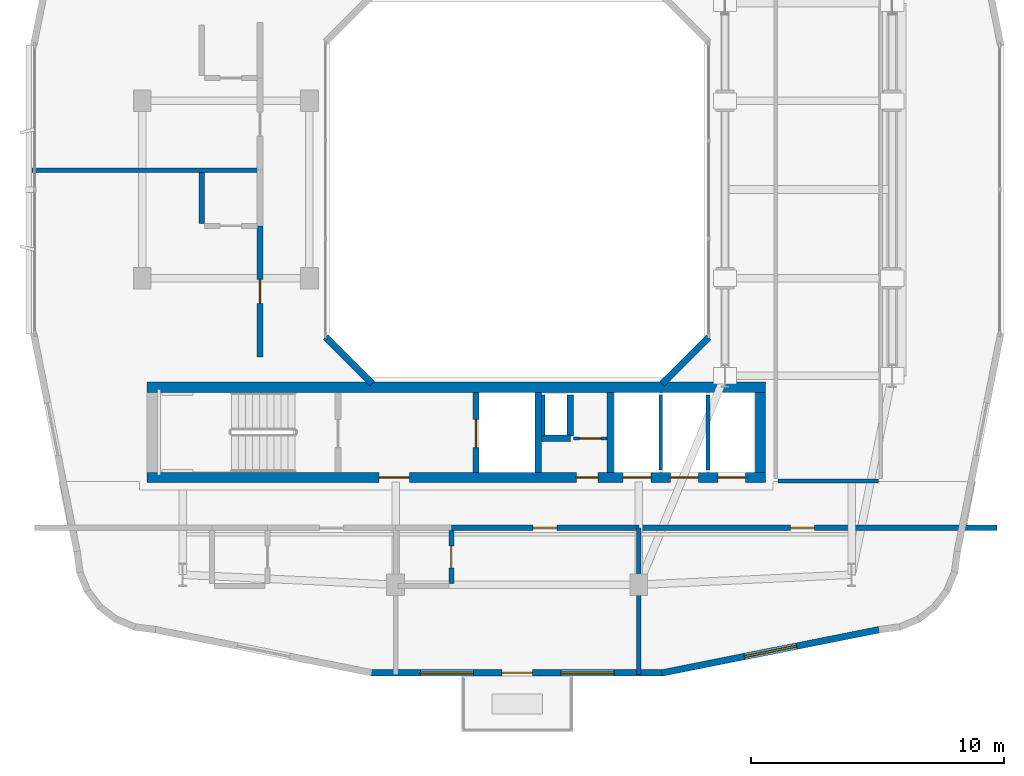
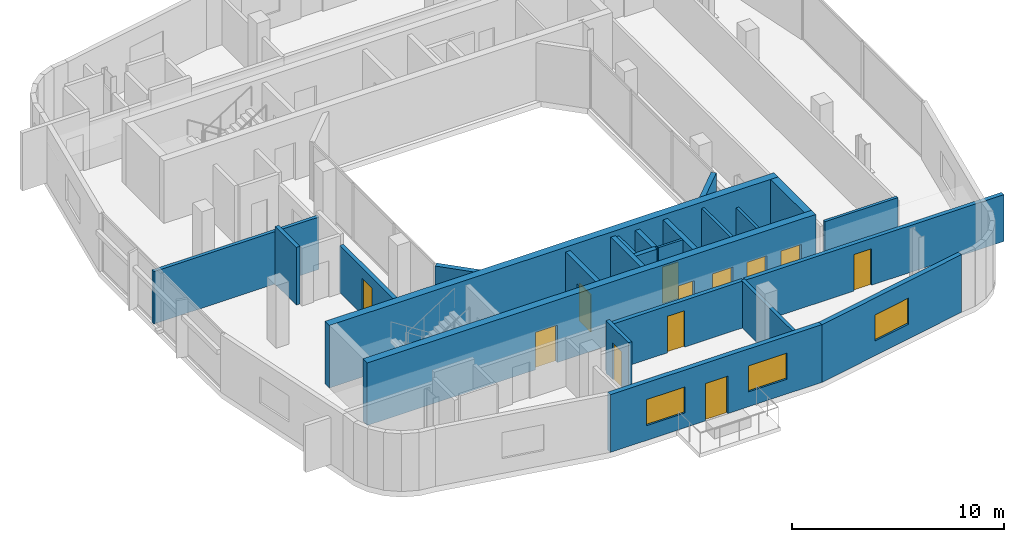
# One storey, part 6 of 13: 24 walls, 12 doors, 3 windows, 15 openings.
"""IFC4 building model written with IfcOpenShell, lengths in metres."""

import ifcopenshell
import ifcopenshell.guid

model = None  # the IFC model being written
_history = None  # IfcOwnerHistory: only IFC2X3 demands one
_inside = {}  # id of a spatial element -> (the spatial element, [elements in it])
_under = {}  # id of a project, library or spatial element -> (it, [spatial elements below it])
_declared = {}  # id of a project -> (the project, [libraries it declares])
_typed = {}  # id of a type object -> (the type object, [elements of that type])
_made_of = {}  # id of a material, layer set ... -> (it, [elements and type objects made of it])


def new_model(schema):
    """Start an empty IFC model of exactly this schema.

    Asked for "IFC4X3", IfcOpenShell would pick the latest addendum, in which some entities
    have other attributes; the version numbers below select the first issue.
    IFC2X3 requires an IfcOwnerHistory on every rooted entity: one is made here for all.
    """
    global model, _history
    if schema == "IFC4X3":
        model = ifcopenshell.file(schema_version=(4, 3, 0, 0))
    else:
        model = ifcopenshell.file(schema=schema)
    _inside.clear()
    _under.clear()
    _declared.clear()
    _typed.clear()
    _made_of.clear()
    _history = None
    if model.schema == "IFC2X3":
        org = make("IfcOrganization", Name="unknown")
        user = make(
            "IfcPersonAndOrganization",
            ThePerson=make("IfcPerson", FamilyName="unknown"),
            TheOrganization=org,
        )
        app = make(
            "IfcApplication",
            ApplicationDeveloper=org,
            Version="unknown",
            ApplicationFullName="unknown",
            ApplicationIdentifier="unknown",
        )
        _history = make(
            "IfcOwnerHistory",
            OwningUser=user,
            OwningApplication=app,
            ChangeAction="ADDED",
            CreationDate=0,
        )
    return model


def make(cls, **values):
    """One entity of the class cls with the attributes given. An attribute that is None is left unset."""
    return model.create_entity(
        cls, **{name: value for name, value in values.items() if value is not None}
    )


def rooted(cls, **values):
    """An entity with a GlobalId (a new one), such as an element, a storey or a relation."""
    return make(cls, GlobalId=ifcopenshell.guid.new(), OwnerHistory=_history, **values)


def si_unit(unit_type, name, prefix=None):
    """IfcSIUnit, for example si_unit("LENGTHUNIT", "METRE", prefix="MILLI")."""
    return make("IfcSIUnit", UnitType=unit_type, Prefix=prefix, Name=name)


def derived_unit(unit_type, elements):
    """IfcDerivedUnit: a product of units, each with its exponent."""
    return make(
        "IfcDerivedUnit",
        Elements=[
            make("IfcDerivedUnitElement", Unit=unit, Exponent=power)
            for unit, power in elements
        ],
        UnitType=unit_type,
    )


def assignment(units):
    """IfcUnitAssignment: the units of a project."""
    return None if units is None else make("IfcUnitAssignment", Units=units)


def point(xyz):
    """IfcCartesianPoint."""
    return None if xyz is None else make("IfcCartesianPoint", Coordinates=xyz)


def direction(xyz):
    """IfcDirection."""
    return None if xyz is None else make("IfcDirection", DirectionRatios=xyz)


def frame(location, z_axis=None, x_axis=None):
    """IfcAxis2Placement3D, a coordinate frame: its origin and axes. An axis left out is left unset."""
    return make(
        "IfcAxis2Placement3D",
        Location=point(location),
        Axis=direction(z_axis),
        RefDirection=direction(x_axis),
    )


def frame_2d(location, x_axis=None):
    """IfcAxis2Placement2D, a coordinate frame in the plane: its origin and x axis."""
    return make(
        "IfcAxis2Placement2D", Location=point(location), RefDirection=direction(x_axis)
    )


def origin():
    """The frame at (0, 0, 0) with its axes left unset."""
    return frame((0.0, 0.0, 0.0))


def place(relative_to, where):
    """IfcLocalPlacement: puts the frame where relative to a parent placement (None: the world)."""
    return make(
        "IfcLocalPlacement", PlacementRelTo=relative_to, RelativePlacement=where
    )


def context(
    kind, dimensions, precision=None, world=None, true_north=None, identifier=None
):
    """IfcGeometricRepresentationContext, for example the 3D "Model" context."""
    return make(
        "IfcGeometricRepresentationContext",
        ContextIdentifier=identifier,
        ContextType=kind,
        CoordinateSpaceDimension=dimensions,
        Precision=precision,
        WorldCoordinateSystem=world,
        TrueNorth=true_north,
    )


def subcontext(parent, identifier, kind, view, scale=None):
    """IfcGeometricRepresentationSubContext, for example "Body" below "Model"."""
    return make(
        "IfcGeometricRepresentationSubContext",
        ContextIdentifier=identifier,
        ContextType=kind,
        ParentContext=parent,
        TargetScale=scale,
        TargetView=view,
    )


def project(units=None, contexts=None):
    """IfcProject with its units and contexts."""
    return rooted(
        "IfcProject",
        Name="project",
        RepresentationContexts=contexts,
        UnitsInContext=assignment(units),
    )


def spatial(cls, under=None, at=None, **own):
    """A site, building, storey or space (cls), placed at a placement, below another one or the project."""
    s = rooted(cls, ObjectPlacement=at, **own)
    if under is not None:
        _under.setdefault(under.id(), (under, []))[1].append(s)
    return s


def profile(cls, at=None, kind="AREA", **sizes):
    """A parametric profile (cls). Its sizes go by their IFC names, for example OverallWidth=200.0."""
    return make(cls, ProfileType=kind, Position=at, **sizes)


def rectangle(**sizes):
    """IfcRectangleProfileDef."""
    return profile("IfcRectangleProfileDef", **sizes)


def extrude(swept, where, along, depth):
    """IfcExtrudedAreaSolid: the profile swept, set in the frame where, extruded along a direction by depth."""
    return make(
        "IfcExtrudedAreaSolid",
        SweptArea=swept,
        Position=where,
        ExtrudedDirection=direction(along),
        Depth=depth,
    )


def shape(context_of_items, identifier, shape_type, items):
    """IfcShapeRepresentation: the items that make up one representation, for example the "Body"."""
    return make(
        "IfcShapeRepresentation",
        ContextOfItems=context_of_items,
        RepresentationIdentifier=identifier,
        RepresentationType=shape_type,
        Items=items,
    )


def material(Name=None, Category=None):
    """IfcMaterial."""
    return make("IfcMaterial", Name=Name, Category=Category)


def layer(
    of_material, thickness, ventilated=None, Name=None, Category=None, Priority=None
):
    """IfcMaterialLayer: one layer of a wall or slab, of a material (None: an air gap)."""
    return make(
        "IfcMaterialLayer",
        Material=of_material,
        LayerThickness=thickness,
        IsVentilated=ventilated,
        Name=Name,
        Category=Category,
        Priority=Priority,
    )


def layer_set(layers, Name=None):
    """IfcMaterialLayerSet."""
    return make("IfcMaterialLayerSet", MaterialLayers=layers, LayerSetName=Name)


def made_of(thing, what):
    """Note that an element or type object is made of a material, layer set ...; save() writes the relation."""
    if what is not None:
        _made_of.setdefault(what.id(), (what, []))[1].append(thing)
    return thing


def type_object(cls, material=None, **own):
    """A type object (cls), such as IfcWallType, which elements share."""
    return made_of(rooted(cls, **own), material)


def element(
    cls,
    number,
    at=None,
    inside=None,
    cuts=None,
    type_object=None,
    material=None,
    context=None,
    identifier="Body",
    shape_type=None,
    held_by="IfcProductDefinitionShape",
    body=None,
    shapes=None,
    **own,
):
    """One element of the class cls, such as IfcWall. Its Tag is "e" and its number.

    at: its placement. inside: the storey or other place that contains it. cuts: it is an
    opening in that element (IfcRelVoidsElement). A single representation is given by context,
    identifier, shape_type and body (its items); several are given by shapes. held_by: the class
    of the entity that holds the representations. save() writes the other relations.
    """
    e = rooted(cls, Tag="e%d" % number, ObjectPlacement=at, **own)
    if body is not None:
        shapes = [shape(context, identifier, shape_type, body)]
    if shapes is not None:
        e.Representation = make(held_by, Representations=shapes)
    if inside is not None:
        _inside.setdefault(inside.id(), (inside, []))[1].append(e)
    if cuts is not None:
        rooted(
            "IfcRelVoidsElement", RelatingBuildingElement=cuts, RelatedOpeningElement=e
        )
    if type_object is not None:
        _typed.setdefault(type_object.id(), (type_object, []))[1].append(e)
    return made_of(e, material)


def fill(opening, filler):
    """IfcRelFillsElement: the door or window that sits in an opening."""
    return rooted(
        "IfcRelFillsElement",
        RelatingOpeningElement=opening,
        RelatedBuildingElement=filler,
    )


def aggregate(whole, parts):
    """IfcRelAggregates: a whole, such as a stair, and the parts it consists of."""
    return rooted("IfcRelAggregates", RelatingObject=whole, RelatedObjects=parts)


def save(model, path):
    """Write the relations noted so far, then the file.

    IfcRelAggregates (storeys below a building ...), IfcRelContainedInSpatialStructure (elements
    in a storey), IfcRelDefinesByType, IfcRelAssociatesMaterial and IfcRelDeclares: one each for
    every whole, place, type object, material and project.
    """
    for whole, parts in _under.values():
        aggregate(whole, parts)
    for where, things in _inside.values():
        rooted(
            "IfcRelContainedInSpatialStructure",
            RelatedElements=things,
            RelatingStructure=where,
        )
    for kind, things in _typed.values():
        rooted("IfcRelDefinesByType", RelatedObjects=things, RelatingType=kind)
    for what, things in _made_of.values():
        rooted("IfcRelAssociatesMaterial", RelatedObjects=things, RelatingMaterial=what)
    for by, libraries in _declared.values():
        rooted("IfcRelDeclares", RelatingContext=by, RelatedDefinitions=libraries)
    model.write(path)


model = new_model("IFC4")

# Units and contexts
model_context = context("Model", 3, precision=1e-05, world=origin(), true_north=direction((0.0, 1.0)))
body_context = subcontext(model_context, "Body", "Model", "MODEL_VIEW")
ifc_project = project(units=[si_unit("LENGTHUNIT", "METRE"), si_unit("AREAUNIT", "SQUARE_METRE"), si_unit("VOLUMEUNIT", "CUBIC_METRE"), si_unit("PLANEANGLEUNIT", "RADIAN"), si_unit("MASSUNIT", "GRAM", prefix="KILO"), derived_unit("THERMALTRANSMITTANCEUNIT", [(si_unit("POWERUNIT", "WATT"), 1), (si_unit("LENGTHUNIT", "METRE"), -2), (si_unit("THERMODYNAMICTEMPERATUREUNIT", "KELVIN"), -1)])], contexts=[model_context])

# Site, building, storey
site_placement = place(None, origin())
site = spatial("IfcSite", under=ifc_project, at=site_placement, CompositionType="ELEMENT")
building_placement = place(site_placement, origin())
building = spatial("IfcBuilding", under=site, at=building_placement, Name="Kivonza Crest Hotel", CompositionType="ELEMENT")
storey_placement = place(building_placement, frame((0.0, 0.0, 199.10009765625)))
storey = spatial("IfcBuildingStorey", under=building, at=storey_placement, Name="L54", CompositionType="ELEMENT", Elevation=199.10009765625)

# Walls
ifc_material_1 = material(Name="High-density acoustic masonry inter-tenancy wall", Category="masonry")
ifc_layer_1 = layer(ifc_material_1, 0.179931640625)
ifc_layer_set_1 = layer_set([ifc_layer_1], Name="High-density acoustic masonry inter-tenancy wall")
wall_type_1 = type_object("IfcWallType", Name="WL-ACOU-180", PredefinedType="SOLIDWALL", material=ifc_layer_set_1)
wall_1_placement = place(storey_placement, frame((25.800048828125, 5.860107421875, 0.0), z_axis=(0.0, 0.0, 1.0), x_axis=(0.0, 1.0, 0.0)))
element("IfcWall", 1, at=wall_1_placement, inside=storey, type_object=wall_type_1, Name="L54 interior partition WA-L54-T1S-DIV2", PredefinedType="SOLIDWALL", context=body_context, shape_type="SweptSolid", body=[
    extrude(rectangle(XDim=5.789794921875, YDim=0.179931640625, at=frame_2d((2.89501953125, 0.0))), origin(), (0.0, 0.0, 1.0), 2.69482421875),
])
wall_2_placement = place(storey_placement, frame((1.860107421875, 25.77001953125, 0.0), z_axis=(0.0, 0.0, 1.0), x_axis=(1.0, 0.0, 0.0)))
element("IfcWall", 2, at=wall_2_placement, inside=storey, type_object=wall_type_1, Name="L54 interior partition WA-L54-T1W-DIV1", PredefinedType="SOLIDWALL", context=body_context, shape_type="SweptSolid", body=[
    extrude(rectangle(XDim=8.989990234375, YDim=0.179931640625, at=frame_2d((4.4951171875, 0.0))), origin(), (0.0, 0.0, 1.0), 3.014892578125),
])

# Wall, opening, door
ifc_material_2 = material(Name="Autoclaved aerated concrete blockwork", Category="masonry")
ifc_layer_2 = layer(ifc_material_2, 0.219970703125)
ifc_layer_set_2 = layer_set([ifc_layer_2], Name="Autoclaved aerated concrete blockwork")
wall_type_2 = type_object("IfcWallType", Name="WL-ACOU-220", PredefinedType="SOLIDWALL", material=ifc_layer_set_2)
wall_3_placement = place(storey_placement, frame((18.39990234375, 11.64990234375, 0.0), z_axis=(0.0, 0.0, 1.0), x_axis=(1.0, 0.0, 0.0)))
wall_3 = element("IfcWall", 3, at=wall_3_placement, inside=storey, type_object=wall_type_2, Name="L54 interior partition WA-L54-S06-MCORR", PredefinedType="SOLIDWALL", context=body_context, shape_type="SweptSolid", body=[
    extrude(rectangle(XDim=7.400146484375, YDim=0.219970703125, at=frame_2d((3.7001953125, 0.0))), origin(), (0.0, 0.0, 1.0), 2.69482421875),
])
opening_1_placement = place(wall_3_placement, frame((3.22509765625, 0.0, 0.0)))
opening_1 = element("IfcOpeningElement", 4, at=opening_1_placement, cuts=wall_3, Name="Opening DU-60", PredefinedType="OPENING", context=body_context, shape_type="SweptSolid", body=[
    extrude(rectangle(XDim=0.949951171875, YDim=2.10009765625, at=frame_2d((0.47509765625, 1.050048828125))), frame((0.0, 0.1201171875, 0.0), z_axis=(0.0, -1.0, 0.0), x_axis=(1.0, 0.0, 0.0)), (0.0, 0.0, 1.0), 0.239990234375),
])
ifc_material_3 = material(Name="Hardwood timber oak", Category="wood")
door_type_1 = type_object("IfcDoorType", Name="DR-UNIT-950", OperationType="NOTDEFINED", PredefinedType="DOOR", material=ifc_material_3)
door_1_placement = place(opening_1_placement, frame((0.949951171875, 0.0, 0.0), z_axis=(0.0, 0.0, 1.0), x_axis=(-1.0, 0.0, 0.0)))
door_1 = element("IfcDoor", 5, at=door_1_placement, inside=storey, type_object=door_type_1, Name="L54 S06 guest unit entrance fire door", OperationType="SINGLE_SWING_RIGHT", OverallHeight=2.10009765625, OverallWidth=0.949951171875, PredefinedType="DOOR", context=body_context, shape_type="SweptSolid", body=[
    extrude(rectangle(XDim=0.949951171875, YDim=2.10009765625, at=frame_2d((0.47509765625, 1.050048828125))), frame((0.0, 0.02490234375, 0.0), z_axis=(0.0, -1.0, 0.0), x_axis=(1.0, 0.0, 0.0)), (0.0, 0.0, 1.0), 0.050048828125),
])
fill(opening_1, door_1)

wall_4_placement = place(storey_placement, frame((25.89990234375, 11.64990234375, 0.0), z_axis=(0.0, 0.0, 1.0), x_axis=(1.0, 0.0, 0.0)))
wall_4 = element("IfcWall", 6, at=wall_4_placement, inside=storey, type_object=wall_type_2, Name="L54 interior partition WA-L54-BUS-MTG-N", PredefinedType="SOLIDWALL", context=body_context, shape_type="SweptSolid", body=[
    extrude(rectangle(XDim=14.0400390625, YDim=0.219970703125, at=frame_2d((7.02001953125, 0.0))), origin(), (0.0, 0.0, 1.0), 2.69482421875),
])
opening_2_placement = place(wall_4_placement, frame((5.881103515625, 0.0, 0.0)))
opening_2 = element("IfcOpeningElement", 7, at=opening_2_placement, cuts=wall_4, Name="Opening DF-60S", PredefinedType="OPENING", context=body_context, shape_type="SweptSolid", body=[
    extrude(rectangle(XDim=0.949951171875, YDim=2.10009765625, at=frame_2d((0.47509765625, 1.050048828125))), frame((0.0, 0.1201171875, 0.0), z_axis=(0.0, -1.0, 0.0), x_axis=(1.0, 0.0, 0.0)), (0.0, 0.0, 1.0), 0.239990234375),
])
door_type_2 = type_object("IfcDoorType", Name="DR-FD60-950", OperationType="NOTDEFINED", PredefinedType="DOOR", material=ifc_material_3)
door_2_placement = place(opening_2_placement, frame((0.949951171875, 0.0, 0.0), z_axis=(0.0, 0.0, 1.0), x_axis=(-1.0, 0.0, 0.0)))
door_2 = element("IfcDoor", 8, at=door_2_placement, inside=storey, type_object=door_type_2, Name="L54 Private Fitness Gym Studio door", OperationType="SINGLE_SWING_RIGHT", OverallHeight=2.10009765625, OverallWidth=0.949951171875, PredefinedType="DOOR", context=body_context, shape_type="SweptSolid", body=[
    extrude(rectangle(XDim=0.949951171875, YDim=2.10009765625, at=frame_2d((0.47509765625, 1.050048828125))), frame((0.0, 0.02490234375, 0.0), z_axis=(0.0, -1.0, 0.0), x_axis=(1.0, 0.0, 0.0)), (0.0, 0.0, 1.0), 0.050048828125),
])
fill(opening_2, door_2)

wall_5_placement = place(storey_placement, frame((10.85009765625, 18.39990234375, 0.0), z_axis=(0.0, 0.0, 1.0), x_axis=(0.0, 1.0, 0.0)))
wall_5 = element("IfcWall", 9, at=wall_5_placement, inside=storey, type_object=wall_type_2, Name="L54 interior partition WA-L54-W07-MCORR", PredefinedType="SOLIDWALL", context=body_context, shape_type="SweptSolid", body=[
    extrude(rectangle(XDim=5.170166015625, YDim=0.219970703125, at=frame_2d((2.5849609375, 0.0))), origin(), (0.0, 0.0, 1.0), 2.69482421875),
])
opening_3_placement = place(wall_5_placement, frame((2.110107421875, 0.0, 0.0)))
opening_3 = element("IfcOpeningElement", 10, at=opening_3_placement, cuts=wall_5, Name="Opening DU-60", PredefinedType="OPENING", context=body_context, shape_type="SweptSolid", body=[
    extrude(rectangle(XDim=0.949951171875, YDim=2.10009765625, at=frame_2d((0.47509765625, 1.050048828125))), frame((0.0, 0.1201171875, 0.0), z_axis=(0.0, -1.0, 0.0), x_axis=(1.0, 0.0, 0.0)), (0.0, 0.0, 1.0), 0.239990234375),
])
door_3_placement = place(opening_3_placement, origin())
door_3 = element("IfcDoor", 11, at=door_3_placement, inside=storey, type_object=door_type_1, Name="L54 W07 guest unit entrance fire door", OperationType="SINGLE_SWING_LEFT", OverallHeight=2.10009765625, OverallWidth=0.949951171875, PredefinedType="DOOR", context=body_context, shape_type="SweptSolid", body=[
    extrude(rectangle(XDim=0.949951171875, YDim=2.10009765625, at=frame_2d((0.47509765625, 1.050048828125))), frame((0.0, 0.02490234375, 0.0), z_axis=(0.0, -1.0, 0.0), x_axis=(1.0, 0.0, 0.0)), (0.0, 0.0, 1.0), 0.050048828125),
])
fill(opening_3, door_3)

# Wall, openings, doors
ifc_material_4 = material(Name="Concrete C50/60", Category="concrete")
ifc_layer_3 = layer(ifc_material_4, 0.39990234375)
ifc_layer_set_3 = layer_set([ifc_layer_3], Name="Concrete C50/60")
wall_type_3 = type_object("IfcWallType", Name="WL-CORE-400", PredefinedType="SHEAR", material=ifc_layer_set_3)
wall_6_placement = place(storey_placement, frame((6.39990234375, 13.639892578125, 0.0), z_axis=(0.0, 0.0, 1.0), x_axis=(1.0, 0.0, 0.0)))
wall_6 = element("IfcWall", 12, at=wall_6_placement, inside=storey, type_object=wall_type_3, Name="Core wall T1-S South L54", PredefinedType="SHEAR", context=body_context, shape_type="SweptSolid", body=[
    extrude(rectangle(XDim=24.400146484375, YDim=0.39990234375, at=frame_2d((12.2001953125, 0.0))), origin(), (0.0, 0.0, 1.0), 3.599853515625),
])
opening_4_placement = place(wall_6_placement, frame((9.14990234375, 0.0, 0.0)))
opening_4 = element("IfcOpeningElement", 13, at=opening_4_placement, cuts=wall_6, Name="Opening DF-60", PredefinedType="OPENING", context=body_context, shape_type="SweptSolid", body=[
    extrude(rectangle(XDim=1.199951171875, YDim=2.14990234375, at=frame_2d((0.60009765625, 1.074951171875))), frame((0.0, 0.2099609375, 0.0), z_axis=(0.0, -1.0, 0.0), x_axis=(1.0, 0.0, 0.0)), (0.0, 0.0, 1.0), 0.419921875),
])
opening_5_placement = place(wall_6_placement, frame((16.93994140625, 0.0, 0.0)))
opening_5 = element("IfcOpeningElement", 14, at=opening_5_placement, cuts=wall_6, Name="Opening DF-60R", PredefinedType="OPENING", context=body_context, shape_type="SweptSolid", body=[
    extrude(rectangle(XDim=0.85009765625, YDim=2.10009765625, at=frame_2d((0.425048828125, 1.050048828125))), frame((0.0, 0.2099609375, 0.0), z_axis=(0.0, -1.0, 0.0), x_axis=(1.0, 0.0, 0.0)), (0.0, 0.0, 1.0), 0.419921875),
])
opening_6_placement = place(wall_6_placement, frame((18.782958984375, 0.0, 0.0)))
opening_6 = element("IfcOpeningElement", 15, at=opening_6_placement, cuts=wall_6, Name="Opening LD-120", PredefinedType="OPENING", context=body_context, shape_type="SweptSolid", body=[
    extrude(rectangle(XDim=1.10009765625, YDim=2.14990234375, at=frame_2d((0.550048828125, 1.074951171875))), frame((0.0, 0.2099609375, 0.0), z_axis=(0.0, -1.0, 0.0), x_axis=(1.0, 0.0, 0.0)), (0.0, 0.0, 1.0), 0.419921875),
])
opening_7_placement = place(wall_6_placement, frame((20.64990234375, 0.0, 0.0)))
opening_7 = element("IfcOpeningElement", 16, at=opening_7_placement, cuts=wall_6, Name="Opening LD-120", PredefinedType="OPENING", context=body_context, shape_type="SweptSolid", body=[
    extrude(rectangle(XDim=1.10009765625, YDim=2.14990234375, at=frame_2d((0.550048828125, 1.074951171875))), frame((0.0, 0.2099609375, 0.0), z_axis=(0.0, -1.0, 0.0), x_axis=(1.0, 0.0, 0.0)), (0.0, 0.0, 1.0), 0.419921875),
])
opening_8_placement = place(wall_6_placement, frame((22.51708984375, 0.0, 0.0)))
opening_8 = element("IfcOpeningElement", 17, at=opening_8_placement, cuts=wall_6, Name="Opening LD-120", PredefinedType="OPENING", context=body_context, shape_type="SweptSolid", body=[
    extrude(rectangle(XDim=1.10009765625, YDim=2.14990234375, at=frame_2d((0.550048828125, 1.074951171875))), frame((0.0, 0.2099609375, 0.0), z_axis=(0.0, -1.0, 0.0), x_axis=(1.0, 0.0, 0.0)), (0.0, 0.0, 1.0), 0.419921875),
])
door_type_3 = type_object("IfcDoorType", Name="DR-FD60-1200", OperationType="NOTDEFINED", PredefinedType="DOOR", material=ifc_material_3)
door_4_placement = place(opening_4_placement, frame((1.199951171875, 0.0, 0.0), z_axis=(0.0, 0.0, 1.0), x_axis=(-1.0, 0.0, 0.0)))
door_4 = element("IfcDoor", 18, at=door_4_placement, inside=storey, type_object=door_type_3, Name="L54 T1-S firefighting lobby fire door", OperationType="SINGLE_SWING_LEFT", OverallHeight=2.14990234375, OverallWidth=1.199951171875, PredefinedType="DOOR", context=body_context, shape_type="SweptSolid", body=[
    extrude(rectangle(XDim=1.199951171875, YDim=2.14990234375, at=frame_2d((0.60009765625, 1.074951171875))), frame((0.0, 0.02490234375, 0.0), z_axis=(0.0, -1.0, 0.0), x_axis=(1.0, 0.0, 0.0)), (0.0, 0.0, 1.0), 0.050048828125),
])
fill(opening_4, door_4)
door_type_4 = type_object("IfcDoorType", Name="DR-FD60-850", OperationType="NOTDEFINED", PredefinedType="DOOR", material=ifc_material_3)
door_5_placement = place(opening_5_placement, frame((0.85009765625, 0.0, 0.0), z_axis=(0.0, 0.0, 1.0), x_axis=(-1.0, 0.0, 0.0)))
door_5 = element("IfcDoor", 19, at=door_5_placement, inside=storey, type_object=door_type_4, Name="L54 T1-S core room door", OperationType="SINGLE_SWING_RIGHT", OverallHeight=2.10009765625, OverallWidth=0.85009765625, PredefinedType="DOOR", context=body_context, shape_type="SweptSolid", body=[
    extrude(rectangle(XDim=0.85009765625, YDim=2.10009765625, at=frame_2d((0.425048828125, 1.050048828125))), frame((0.0, 0.02490234375, 0.0), z_axis=(0.0, -1.0, 0.0), x_axis=(1.0, 0.0, 0.0)), (0.0, 0.0, 1.0), 0.050048828125),
])
fill(opening_5, door_5)
ifc_material_5 = material(Name="Stainless steel", Category="steel")
door_type_5 = type_object("IfcDoorType", Name="DR-LD120-1100", OperationType="NOTDEFINED", PredefinedType="DOOR", material=ifc_material_5)
door_6_placement = place(opening_6_placement, frame((1.10009765625, 0.0, 0.0), z_axis=(0.0, 0.0, 1.0), x_axis=(-1.0, 0.0, 0.0)))
door_6 = element("IfcDoor", 20, at=door_6_placement, inside=storey, type_object=door_type_5, Name="L54 PL-T1-H1 passenger lift sliding landing door", OperationType="DOUBLE_DOOR_SLIDING", OverallHeight=2.14990234375, OverallWidth=1.10009765625, PredefinedType="DOOR", context=body_context, shape_type="SweptSolid", body=[
    extrude(rectangle(XDim=1.10009765625, YDim=2.14990234375, at=frame_2d((0.550048828125, 1.074951171875))), frame((0.0, 0.02490234375, 0.0), z_axis=(0.0, -1.0, 0.0), x_axis=(1.0, 0.0, 0.0)), (0.0, 0.0, 1.0), 0.050048828125),
])
fill(opening_6, door_6)
door_7_placement = place(opening_7_placement, frame((1.10009765625, 0.0, 0.0), z_axis=(0.0, 0.0, 1.0), x_axis=(-1.0, 0.0, 0.0)))
door_7 = element("IfcDoor", 21, at=door_7_placement, inside=storey, type_object=door_type_5, Name="L54 PL-T1-H2 passenger lift sliding landing door", OperationType="DOUBLE_DOOR_SLIDING", OverallHeight=2.14990234375, OverallWidth=1.10009765625, PredefinedType="DOOR", context=body_context, shape_type="SweptSolid", body=[
    extrude(rectangle(XDim=1.10009765625, YDim=2.14990234375, at=frame_2d((0.550048828125, 1.074951171875))), frame((0.0, 0.02490234375, 0.0), z_axis=(0.0, -1.0, 0.0), x_axis=(1.0, 0.0, 0.0)), (0.0, 0.0, 1.0), 0.050048828125),
])
fill(opening_7, door_7)
door_8_placement = place(opening_8_placement, frame((1.10009765625, 0.0, 0.0), z_axis=(0.0, 0.0, 1.0), x_axis=(-1.0, 0.0, 0.0)))
door_8 = element("IfcDoor", 22, at=door_8_placement, inside=storey, type_object=door_type_5, Name="L54 PL-T1-H3 passenger lift sliding landing door", OperationType="DOUBLE_DOOR_SLIDING", OverallHeight=2.14990234375, OverallWidth=1.10009765625, PredefinedType="DOOR", context=body_context, shape_type="SweptSolid", body=[
    extrude(rectangle(XDim=1.10009765625, YDim=2.14990234375, at=frame_2d((0.550048828125, 1.074951171875))), frame((0.0, 0.02490234375, 0.0), z_axis=(0.0, -1.0, 0.0), x_axis=(1.0, 0.0, 0.0)), (0.0, 0.0, 1.0), 0.050048828125),
])
fill(opening_8, door_8)

# Walls
wall_7_placement = place(storey_placement, frame((6.39990234375, 17.199951171875, 0.0), z_axis=(0.0, 0.0, 1.0), x_axis=(1.0, 0.0, 0.0)))
element("IfcWall", 23, at=wall_7_placement, inside=storey, type_object=wall_type_3, Name="Core wall T1-S North L54", PredefinedType="SHEAR", context=body_context, shape_type="SweptSolid", body=[
    extrude(rectangle(XDim=24.400146484375, YDim=0.39990234375, at=frame_2d((12.2001953125, 0.0))), origin(), (0.0, 0.0, 1.0), 3.599853515625),
])
wall_8_placement = place(storey_placement, frame((30.60009765625, 13.840087890625, 0.0), z_axis=(0.0, 0.0, 1.0), x_axis=(0.0, 1.0, 0.0)))
element("IfcWall", 24, at=wall_8_placement, inside=storey, type_object=wall_type_3, Name="Core wall T1-S East L54", PredefinedType="SHEAR", context=body_context, shape_type="SweptSolid", body=[
    extrude(rectangle(XDim=3.159912109375, YDim=0.39990234375, at=frame_2d((1.580078125, 0.0))), origin(), (0.0, 0.0, 1.0), 3.599853515625),
])

# Wall, openings, door, windows
ifc_material_6 = material(Name="Precast concrete C40/50", Category="concrete")
ifc_layer_4 = layer(ifc_material_6, 0.260009765625)
ifc_layer_set_4 = layer_set([ifc_layer_4], Name="Precast concrete C40/50")
wall_type_4 = type_object("IfcWallType", Name="WL-EXT-260", PredefinedType="STANDARD", material=ifc_layer_set_4)
wall_9_placement = place(storey_placement, frame((15.215087890625, 5.929931640625, 0.0), z_axis=(0.0, 0.0, 1.0), x_axis=(1.0, 0.0, 0.0)))
wall_9 = element("IfcWall", 25, at=wall_9_placement, inside=storey, type_object=wall_type_4, Name="L54 T1 exterior insulated wall 8", PredefinedType="STANDARD", context=body_context, shape_type="SweptSolid", body=[
    extrude(rectangle(XDim=11.534912109375, YDim=0.260009765625, at=frame_2d((5.767578125, 0.0))), origin(), (0.0, 0.0, 1.0), 3.31982421875),
])
opening_9_placement = place(wall_9_placement, frame((5.18505859375, 0.0, 0.0)))
opening_9 = element("IfcOpeningElement", 26, at=opening_9_placement, cuts=wall_9, Name="Opening DT-120", PredefinedType="OPENING", context=body_context, shape_type="SweptSolid", body=[
    extrude(rectangle(XDim=1.199951171875, YDim=2.14990234375, at=frame_2d((0.60009765625, 1.074951171875))), frame((0.0, 0.14013671875, 0.0), z_axis=(0.0, -1.0, 0.0), x_axis=(1.0, 0.0, 0.0)), (0.0, 0.0, 1.0), 0.280029296875),
])
opening_10_placement = place(wall_9_placement, frame((1.9599609375, 0.0, 0.85009765625)))
opening_10 = element("IfcOpeningElement", 27, at=opening_10_placement, cuts=wall_9, Name="Opening WN-04", PredefinedType="OPENING", context=body_context, shape_type="SweptSolid", body=[
    extrude(rectangle(XDim=2.10009765625, YDim=1.5, at=frame_2d((1.050048828125, 0.75))), frame((0.0, 0.14013671875, 0.0), z_axis=(0.0, -1.0, 0.0), x_axis=(1.0, 0.0, 0.0)), (0.0, 0.0, 1.0), 0.280029296875),
])
opening_11_placement = place(wall_9_placement, frame((7.510009765625, 0.0, 0.85009765625)))
opening_11 = element("IfcOpeningElement", 28, at=opening_11_placement, cuts=wall_9, Name="Opening WN-04", PredefinedType="OPENING", context=body_context, shape_type="SweptSolid", body=[
    extrude(rectangle(XDim=2.10009765625, YDim=1.5, at=frame_2d((1.050048828125, 0.75))), frame((0.0, 0.14013671875, 0.0), z_axis=(0.0, -1.0, 0.0), x_axis=(1.0, 0.0, 0.0)), (0.0, 0.0, 1.0), 0.280029296875),
])
ifc_material_7 = material(Name="Anodised bronze aluminium and laminated safety glass", Category="aluminium")
door_type_6 = type_object("IfcDoorType", Name="DR-TERR-1200", OperationType="NOTDEFINED", PredefinedType="DOOR", material=ifc_material_7)
door_9_placement = place(opening_9_placement, frame((1.199951171875, 0.0, 0.0), z_axis=(0.0, 0.0, 1.0), x_axis=(-1.0, 0.0, 0.0)))
door_9 = element("IfcDoor", 29, at=door_9_placement, inside=storey, type_object=door_type_6, Name="T1 L54 SW sky-garden bridge access door", OperationType="SINGLE_SWING_LEFT", OverallHeight=2.14990234375, OverallWidth=1.199951171875, PredefinedType="DOOR", context=body_context, shape_type="SweptSolid", body=[
    extrude(rectangle(XDim=1.199951171875, YDim=2.14990234375, at=frame_2d((0.60009765625, 1.074951171875))), frame((0.0, 0.02490234375, 0.0), z_axis=(0.0, -1.0, 0.0), x_axis=(1.0, 0.0, 0.0)), (0.0, 0.0, 1.0), 0.050048828125),
])
fill(opening_9, door_9)
ifc_material_8 = material(Name="Thermally broken bronze aluminium and low-E double glazing", Category="aluminium")
window_type = type_object("IfcWindowType", Name="WN-210x150", PartitioningType="DOUBLE_PANEL_VERTICAL", PredefinedType="WINDOW", material=ifc_material_8)
window_1_placement = place(opening_10_placement, origin())
window_1 = element("IfcWindow", 30, at=window_1_placement, inside=storey, type_object=window_type, Name="L54 T1 facade window 8 bay 1", OverallHeight=1.5, OverallWidth=2.10009765625, PartitioningType="SINGLE_PANEL", PredefinedType="WINDOW", context=body_context, shape_type="SweptSolid", body=[
    extrude(rectangle(XDim=2.10009765625, YDim=1.5, at=frame_2d((1.050048828125, 0.75))), frame((0.0, 0.030029296875, 0.0), z_axis=(0.0, -1.0, 0.0), x_axis=(1.0, 0.0, 0.0)), (0.0, 0.0, 1.0), 0.06005859375),
])
fill(opening_10, window_1)
window_2_placement = place(opening_11_placement, origin())
window_2 = element("IfcWindow", 31, at=window_2_placement, inside=storey, type_object=window_type, Name="L54 T1 facade window 8 bay 2", OverallHeight=1.5, OverallWidth=2.10009765625, PartitioningType="SINGLE_PANEL", PredefinedType="WINDOW", context=body_context, shape_type="SweptSolid", body=[
    extrude(rectangle(XDim=2.10009765625, YDim=1.5, at=frame_2d((1.050048828125, 0.75))), frame((0.0, 0.030029296875, 0.0), z_axis=(0.0, -1.0, 0.0), x_axis=(1.0, 0.0, 0.0)), (0.0, 0.0, 1.0), 0.06005859375),
])
fill(opening_11, window_2)

# Wall, opening, window
wall_10_placement = place(storey_placement, frame((26.7099609375, 5.922119140625, 0.0), z_axis=(0.0, 0.0, 1.0), x_axis=(0.980752174324, 0.195256683773, 0.0)))
wall_10 = element("IfcWall", 32, at=wall_10_placement, inside=storey, type_object=wall_type_4, Name="L54 T1 exterior insulated wall 9", PredefinedType="STANDARD", context=body_context, shape_type="SweptSolid", body=[
    extrude(rectangle(XDim=8.7412109375, YDim=0.260009765625, at=frame_2d((4.37060546875, 0.0))), origin(), (0.0, 0.0, 1.0), 3.31982421875),
])
opening_12_placement = place(wall_10_placement, frame((3.321044921875, 0.0, 0.85009765625)))
opening_12 = element("IfcOpeningElement", 33, at=opening_12_placement, cuts=wall_10, Name="Opening WN-04", PredefinedType="OPENING", context=body_context, shape_type="SweptSolid", body=[
    extrude(rectangle(XDim=2.10009765625, YDim=1.5, at=frame_2d((1.050048828125, 0.75))), frame((0.0, 0.14013671875, 0.0), z_axis=(0.0, -1.0, 0.0), x_axis=(1.0, 0.0, 0.0)), (0.0, 0.0, 1.0), 0.280029296875),
])
window_3_placement = place(opening_12_placement, origin())
window_3 = element("IfcWindow", 34, at=window_3_placement, inside=storey, type_object=window_type, Name="L54 T1 facade window 9", OverallHeight=1.5, OverallWidth=2.10009765625, PartitioningType="SINGLE_PANEL", PredefinedType="WINDOW", context=body_context, shape_type="SweptSolid", body=[
    extrude(rectangle(XDim=2.10009765625, YDim=1.5, at=frame_2d((1.050048828125, 0.75))), frame((0.0, 0.030029296875, 0.0), z_axis=(0.0, -1.0, 0.0), x_axis=(1.0, 0.0, 0.0)), (0.0, 0.0, 1.0), 0.06005859375),
])
fill(opening_12, window_3)

# Walls
for number, where, z_axis, x_axis, name in (
    (35, (26.721923828125, 17.337890625, 0.0), (0.0, 0.0, 1.0), (0.707059717605, 0.707153841636, 0.0), "L54 T1 light-well exterior wall 2"),
    (36, (13.444091796875, 19.172119140625, 0.0), (0.0, 0.0, 1.0), (0.707059717605, -0.707153841636, 0.0), "L54 T1 light-well exterior wall 8"),
):
    element("IfcWall", number, at=place(storey_placement, frame(where, z_axis=z_axis, x_axis=x_axis)), inside=storey, type_object=wall_type_4, Name=name, PredefinedType="STANDARD", context=body_context, shape_type="SweptSolid", body=[
        extrude(rectangle(XDim=2.59375, YDim=0.260009765625, at=frame_2d((1.296875, 0.0))), origin(), (0.0, 0.0, 1.0), 3.31982421875),
    ])
ifc_material_9 = material(Name="Concrete blockwork fire-compartment wall", Category="masonry")
ifc_layer_5 = layer(ifc_material_9, 0.25)
ifc_layer_set_5 = layer_set([ifc_layer_5], Name="Concrete blockwork fire-compartment wall")
wall_type_5 = type_object("IfcWallType", Name="WL-FIRE-250", PredefinedType="SOLIDWALL", material=ifc_layer_set_5)
wall_11_placement = place(storey_placement, frame((23.10009765625, 15.280029296875, 0.0), z_axis=(0.0, 0.0, 1.0), x_axis=(0.0, 1.0, 0.0)))
element("IfcWall", 37, at=wall_11_placement, inside=storey, type_object=wall_type_5, Name="L54 interior partition WA-L54-T1-S-MEPR-E", PredefinedType="SOLIDWALL", context=body_context, shape_type="SweptSolid", body=[
    extrude(rectangle(XDim=1.619873046875, YDim=0.25, at=frame_2d((0.81005859375, 0.0))), origin(), (0.0, 0.0, 1.0), 3.31982421875),
])
wall_12_placement = place(storey_placement, frame((21.949951171875, 15.179931640625, 0.0), z_axis=(0.0, 0.0, 1.0), x_axis=(1.0, 0.0, 0.0)))
element("IfcWall", 38, at=wall_12_placement, inside=storey, type_object=wall_type_5, Name="L54 interior partition WA-L54-T1-S-MEPR-H", PredefinedType="SOLIDWALL", context=body_context, shape_type="SweptSolid", body=[
    extrude(rectangle(XDim=1.150146484375, YDim=0.25, at=frame_2d((0.5751953125, 0.0))), origin(), (0.0, 0.0, 1.0), 3.31982421875),
])

# Wall, opening, door
ifc_material_10 = material(Name="Metal-stud gypsum board partition", Category="gypsum")
ifc_layer_6 = layer(ifc_material_10, 0.125)
ifc_layer_set_6 = layer_set([ifc_layer_6], Name="Metal-stud gypsum board partition")
wall_type_6 = type_object("IfcWallType", Name="WL-PART-125", PredefinedType="PARTITIONING", material=ifc_layer_set_6)
wall_13_placement = place(storey_placement, frame((23.219970703125, 15.179931640625, 0.0), z_axis=(0.0, 0.0, 1.0), x_axis=(1.0, 0.0, 0.0)))
wall_13 = element("IfcWall", 39, at=wall_13_placement, inside=storey, type_object=wall_type_6, Name="L54 interior partition WP-L54-T1-S-SV3H", PredefinedType="PARTITIONING", context=body_context, shape_type="SweptSolid", body=[
    extrude(rectangle(XDim=1.330078125, YDim=0.125, at=frame_2d((0.6650390625, 0.0))), origin(), (0.0, 0.0, 1.0), 3.31982421875),
])
opening_13_placement = place(wall_13_placement, frame((0.239990234375, 0.0, 0.0)))
opening_13 = element("IfcOpeningElement", 40, at=opening_13_placement, cuts=wall_13, Name="Opening DI-85", PredefinedType="OPENING", context=body_context, shape_type="SweptSolid", body=[
    extrude(rectangle(XDim=0.85009765625, YDim=2.10009765625, at=frame_2d((0.425048828125, 1.050048828125))), frame((0.0, 0.072509765625, 0.0), z_axis=(0.0, -1.0, 0.0), x_axis=(1.0, 0.0, 0.0)), (0.0, 0.0, 1.0), 0.14501953125),
])
door_type_7 = type_object("IfcDoorType", Name="DR-INT-850", OperationType="NOTDEFINED", PredefinedType="DOOR", material=ifc_material_3)
door_10_placement = place(opening_13_placement, origin())
door_10 = element("IfcDoor", 41, at=door_10_placement, inside=storey, type_object=door_type_7, Name="L54 T1-S inner manifold door", OperationType="SINGLE_SWING_LEFT", OverallHeight=2.10009765625, OverallWidth=0.85009765625, PredefinedType="DOOR", context=body_context, shape_type="SweptSolid", body=[
    extrude(rectangle(XDim=0.85009765625, YDim=2.10009765625, at=frame_2d((0.425048828125, 1.050048828125))), frame((0.0, 0.02490234375, 0.0), z_axis=(0.0, -1.0, 0.0), x_axis=(1.0, 0.0, 0.0)), (0.0, 0.0, 1.0), 0.050048828125),
])
fill(opening_13, door_10)

# Walls
ifc_material_11 = material(Name="Twin-stud acoustic gypsum board partition", Category="gypsum")
ifc_layer_7 = layer(ifc_material_11, 0.14990234375)
ifc_layer_set_7 = layer_set([ifc_layer_7], Name="Twin-stud acoustic gypsum board partition")
wall_type_7 = type_object("IfcWallType", Name="WL-PART-150", PredefinedType="PARTITIONING", material=ifc_layer_set_7)
wall_14_placement = place(storey_placement, frame((22.030029296875, 15.280029296875, 0.0), z_axis=(0.0, 0.0, 1.0), x_axis=(0.0, 1.0, 0.0)))
element("IfcWall", 42, at=wall_14_placement, inside=storey, type_object=wall_type_7, Name="L54 interior partition WA-L54-T1-S-MEPR-W", PredefinedType="PARTITIONING", context=body_context, shape_type="SweptSolid", body=[
    extrude(rectangle(XDim=1.619873046875, YDim=0.14990234375, at=frame_2d((0.81005859375, 0.0))), origin(), (0.0, 0.0, 1.0), 3.31982421875),
])
wall_15_placement = place(storey_placement, frame((26.6669921875, 13.93994140625, 0.0), z_axis=(0.0, 0.0, 1.0), x_axis=(0.0, 1.0, 0.0)))
element("IfcWall", 43, at=wall_15_placement, inside=storey, type_object=wall_type_7, Name="L54 interior partition WP-L54-T1-S-BSH-1", PredefinedType="PARTITIONING", context=body_context, shape_type="SweptSolid", body=[
    extrude(rectangle(XDim=2.9599609375, YDim=0.14990234375, at=frame_2d((1.47998046875, 0.0))), origin(), (0.0, 0.0, 1.0), 3.31982421875),
])
wall_16_placement = place(storey_placement, frame((28.532958984375, 13.93994140625, 0.0), z_axis=(0.0, 0.0, 1.0), x_axis=(0.0, 1.0, 0.0)))
element("IfcWall", 44, at=wall_16_placement, inside=storey, type_object=wall_type_7, Name="L54 interior partition WP-L54-T1-S-BSH-2", PredefinedType="PARTITIONING", context=body_context, shape_type="SweptSolid", body=[
    extrude(rectangle(XDim=2.9599609375, YDim=0.14990234375, at=frame_2d((1.47998046875, 0.0))), origin(), (0.0, 0.0, 1.0), 2.69482421875),
])
wall_17_placement = place(storey_placement, frame((31.300048828125, 13.5, 0.0), z_axis=(0.0, 0.0, 1.0), x_axis=(1.0, 0.0, 0.0)))
element("IfcWall", 45, at=wall_17_placement, inside=storey, type_object=wall_type_7, Name="L54 interior partition WP-L54-VP-TRF-PL-BS", PredefinedType="PARTITIONING", context=body_context, shape_type="SweptSolid", body=[
    extrude(rectangle(XDim=3.949951171875, YDim=0.14990234375, at=frame_2d((1.97509765625, 0.0))), origin(), (0.0, 0.0, 1.0), 3.014892578125),
])

# Wall, opening, door
ifc_material_12 = material(Name="Moisture-resistant plumbing chase partition wall", Category="gypsum")
ifc_layer_8 = layer(ifc_material_12, 0.199951171875)
ifc_layer_set_8 = layer_set([ifc_layer_8], Name="Moisture-resistant plumbing chase partition wall")
wall_type_8 = type_object("IfcWallType", Name="WL-PLUMB-200", PredefinedType="PLUMBINGWALL", material=ifc_layer_set_8)
wall_18_placement = place(storey_placement, frame((18.39990234375, 9.449951171875, 0.0), z_axis=(0.0, 0.0, 1.0), x_axis=(0.0, 1.0, 0.0)))
wall_18 = element("IfcWall", 46, at=wall_18_placement, inside=storey, type_object=wall_type_8, Name="L54 interior partition WW-L54-S06-BV", PredefinedType="PLUMBINGWALL", context=body_context, shape_type="SweptSolid", body=[
    extrude(rectangle(XDim=2.10009765625, YDim=0.199951171875, at=frame_2d((1.050048828125, 0.0))), origin(), (0.0, 0.0, 1.0), 3.014892578125),
])
opening_14_placement = place(wall_18_placement, frame((0.625, 0.0, 0.0)))
opening_14 = element("IfcOpeningElement", 47, at=opening_14_placement, cuts=wall_18, Name="Opening DI-85", PredefinedType="OPENING", context=body_context, shape_type="SweptSolid", body=[
    extrude(rectangle(XDim=0.85009765625, YDim=2.10009765625, at=frame_2d((0.425048828125, 1.050048828125))), frame((0.0, 0.10986328125, 0.0), z_axis=(0.0, -1.0, 0.0), x_axis=(1.0, 0.0, 0.0)), (0.0, 0.0, 1.0), 0.219970703125),
])
door_11_placement = place(opening_14_placement, frame((0.85009765625, 0.0, 0.0), z_axis=(0.0, 0.0, 1.0), x_axis=(-1.0, 0.0, 0.0)))
door_11 = element("IfcDoor", 48, at=door_11_placement, inside=storey, type_object=door_type_7, Name="L54 S06 en-suite bathroom door", OperationType="SINGLE_SWING_LEFT", OverallHeight=2.10009765625, OverallWidth=0.85009765625, PredefinedType="DOOR", context=body_context, shape_type="SweptSolid", body=[
    extrude(rectangle(XDim=0.85009765625, YDim=2.10009765625, at=frame_2d((0.425048828125, 1.050048828125))), frame((0.0, 0.02490234375, 0.0), z_axis=(0.0, -1.0, 0.0), x_axis=(1.0, 0.0, 0.0)), (0.0, 0.0, 1.0), 0.050048828125),
])
fill(opening_14, door_11)

# Wall
wall_19_placement = place(storey_placement, frame((8.550048828125, 23.669921875, 0.0), z_axis=(0.0, 0.0, 1.0), x_axis=(0.0, 1.0, 0.0)))
element("IfcWall", 49, at=wall_19_placement, inside=storey, type_object=wall_type_8, Name="L54 interior partition WW-L54-W07-BV", PredefinedType="PLUMBINGWALL", context=body_context, shape_type="SweptSolid", body=[
    extrude(rectangle(XDim=2.0, YDim=0.199951171875, at=frame_2d((1.0, 0.0))), origin(), (0.0, 0.0, 1.0), 3.31982421875),
])

# Wall, opening, door
ifc_layer_9 = layer(ifc_material_4, 0.25)
ifc_layer_set_9 = layer_set([ifc_layer_9], Name="Concrete C50/60")
wall_type_9 = type_object("IfcWallType", Name="WL-SHAFT-250", PredefinedType="STANDARD", material=ifc_layer_set_9)
wall_20_placement = place(storey_placement, frame((19.375, 13.840087890625, 0.0), z_axis=(0.0, 0.0, 1.0), x_axis=(0.0, 1.0, 0.0)))
wall_20 = element("IfcWall", 50, at=wall_20_placement, inside=storey, type_object=wall_type_9, Name="Core shaft wall T1-S FFL-W L54", PredefinedType="STANDARD", context=body_context, shape_type="SweptSolid", body=[
    extrude(rectangle(XDim=3.159912109375, YDim=0.25, at=frame_2d((1.580078125, 0.0))), origin(), (0.0, 0.0, 1.0), 3.31982421875),
])
opening_15_placement = place(wall_20_placement, frame((0.97998046875, 0.0, 0.0)))
opening_15 = element("IfcOpeningElement", 51, at=opening_15_placement, cuts=wall_20, Name="Opening LD-120", PredefinedType="OPENING", context=body_context, shape_type="SweptSolid", body=[
    extrude(rectangle(XDim=1.10009765625, YDim=2.14990234375, at=frame_2d((0.550048828125, 1.074951171875))), frame((0.0, 0.135009765625, 0.0), z_axis=(0.0, -1.0, 0.0), x_axis=(1.0, 0.0, 0.0)), (0.0, 0.0, 1.0), 0.27001953125),
])
door_12_placement = place(opening_15_placement, origin())
door_12 = element("IfcDoor", 52, at=door_12_placement, inside=storey, type_object=door_type_5, Name="L54 FFL-T1-S firefighting lift sliding landing door", OperationType="DOUBLE_DOOR_SLIDING", OverallHeight=2.14990234375, OverallWidth=1.10009765625, PredefinedType="DOOR", context=body_context, shape_type="SweptSolid", body=[
    extrude(rectangle(XDim=1.10009765625, YDim=2.14990234375, at=frame_2d((0.550048828125, 1.074951171875))), frame((0.0, 0.02490234375, 0.0), z_axis=(0.0, -1.0, 0.0), x_axis=(1.0, 0.0, 0.0)), (0.0, 0.0, 1.0), 0.050048828125),
])
fill(opening_15, door_12)

# Walls
for number, where, z_axis, x_axis, name in (
    (53, (21.824951171875, 13.840087890625, 0.0), (0.0, 0.0, 1.0), (0.0, 1.0, 0.0), "Core shaft wall T1-S FFL-E L54"),
    (54, (24.675048828125, 13.840087890625, 0.0), (0.0, 0.0, 1.0), (0.0, 1.0, 0.0), "Core shaft wall T1-S BANK-W L54"),
):
    element("IfcWall", number, at=place(storey_placement, frame(where, z_axis=z_axis, x_axis=x_axis)), inside=storey, type_object=wall_type_9, Name=name, PredefinedType="STANDARD", context=body_context, shape_type="SweptSolid", body=[
        extrude(rectangle(XDim=3.159912109375, YDim=0.25, at=frame_2d((1.580078125, 0.0))), origin(), (0.0, 0.0, 1.0), 3.31982421875),
    ])

save(model, "model.ifc")
